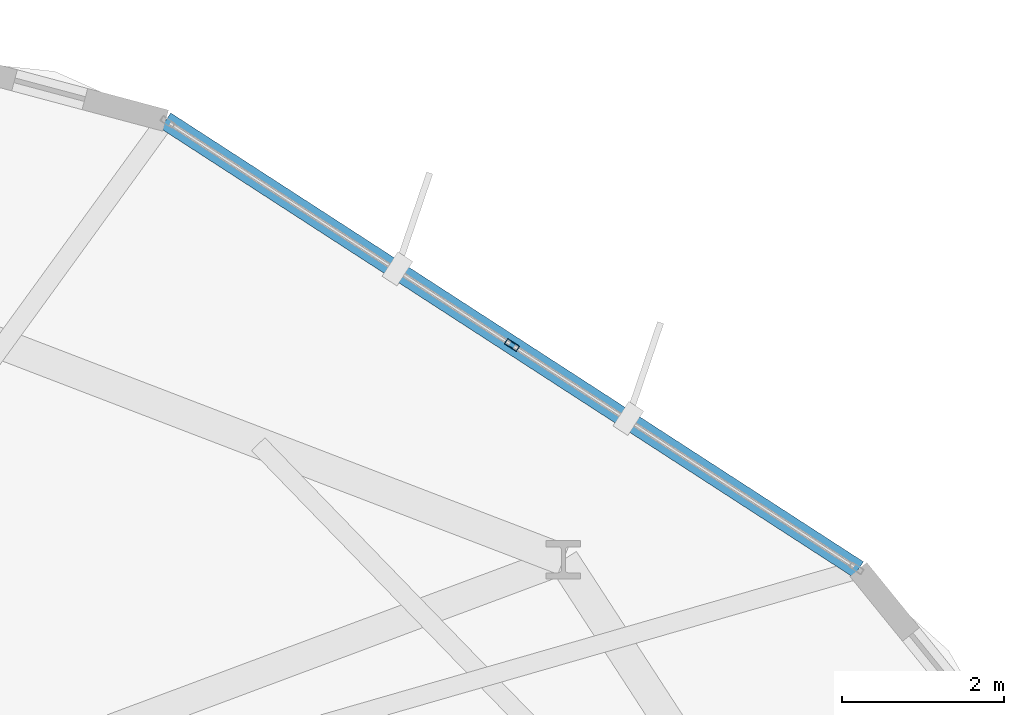
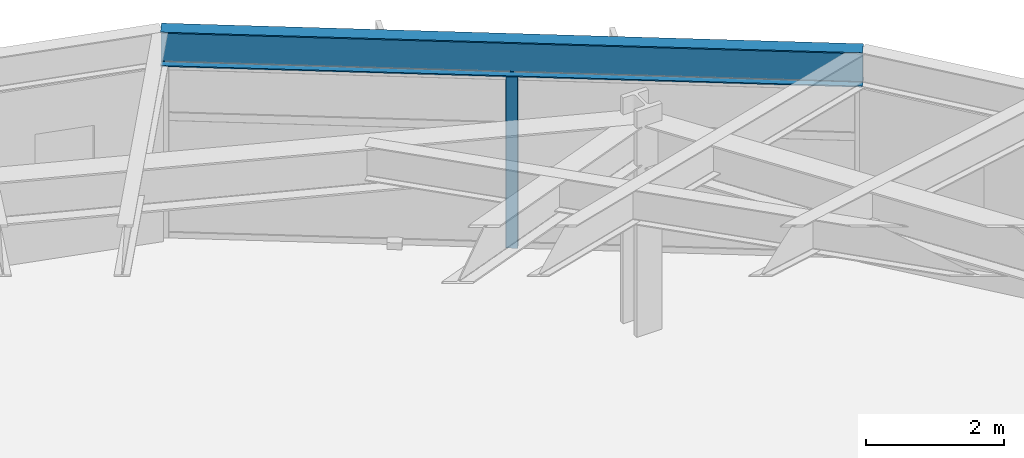
# One storey, part 16 of 23: 1 beam, 1 member, 1 element without a shape of its own.
"""IFC4 building model written with IfcOpenShell, lengths in metres."""

from ifc_helpers import new_model, si_unit, direction, frame, origin, origin_2d, place, context, subcontext, project, spatial, hollow_rectangle, i_section, extrude, material, layer, layer_set, material_profile, profile_set, type_object, element, aggregate, save


model = new_model("IFC4")

# Units and contexts
model_context = context("Model", 3, precision=1e-05, world=origin(), true_north=direction((0.0, 1.0)))
body_context = subcontext(model_context, "Body", "Model", "MODEL_VIEW")
ifc_project = project(units=[si_unit("LENGTHUNIT", "METRE"), si_unit("AREAUNIT", "SQUARE_METRE"), si_unit("VOLUMEUNIT", "CUBIC_METRE"), si_unit("PLANEANGLEUNIT", "RADIAN"), si_unit("MASSUNIT", "GRAM", prefix="KILO")], contexts=[model_context])

# Site, building, storey
site_placement = place(None, origin())
site = spatial("IfcSite", under=ifc_project, at=site_placement, CompositionType="ELEMENT")
building_placement = place(site_placement, origin())
building = spatial("IfcBuilding", under=site, at=building_placement, Name="Soratama Intermodal Tower", CompositionType="ELEMENT")
storey_placement = place(building_placement, frame((0.0, 0.0, 38.60009765625)))
storey = spatial("IfcBuildingStorey", under=building, at=storey_placement, Name="L08", CompositionType="ELEMENT", Elevation=38.60009765625)

# Beam
ifc_material_1 = material(Name="Structural steel ASTM A992 Grade 50", Category="steel")
ifc_material_profile_1 = material_profile(ifc_material_1, i_section(OverallWidth=0.22900390625, OverallDepth=0.612060546875, WebThickness=0.011962890625, FlangeThickness=0.01953125, FilletRadius=0.012939453125, at=origin_2d()), Name="W24X84")
ifc_profile_set_1 = profile_set([ifc_material_profile_1], Name="Structural steel ASTM A992 Grade 50")
beam_type = type_object("IfcBeamType", Name="BM-SPN-W24X84", PredefinedType="SPANDREL", material=ifc_profile_set_1)
beam_placement = place(storey_placement, frame((60.427001953125, 39.428955078125, 3.393798828125), z_axis=(-0.839257340197, 0.543734417639, 0.0), x_axis=(-0.543734417639, -0.839257340197, 0.0)))
element("IfcBeam", 1, at=beam_placement, inside=storey, type_object=beam_type, Name="BS-L08-F02", PredefinedType="SPANDREL", context=body_context, shape_type="SweptSolid", body=[
    extrude(i_section(OverallWidth=0.22900390625, OverallDepth=0.612060546875, WebThickness=0.011962890625, FlangeThickness=0.01953125, FilletRadius=0.012939453125, at=origin_2d()), origin(), (0.0, 0.0, 1.0), 10.201904296875),
])

# Curtain wall, member
ifc_material_2 = material(Name="Double-glazed aluminium curtain wall", Category="aluminium")
ifc_layer = layer(ifc_material_2, 0.159912109375)
ifc_layer_set = layer_set([ifc_layer], Name="Double-glazed aluminium curtain wall")
curtain_wall_type = type_object("IfcCurtainWallType", Name="CW-SYS-2", PredefinedType="NOTDEFINED", material=ifc_layer_set)
curtain_wall_placement = place(storey_placement, origin())
curtain_wall = element("IfcCurtainWall", 2, at=curtain_wall_placement, inside=storey, type_object=curtain_wall_type, Name="L08 Faceted Curtain Wall F02", PredefinedType="NOTDEFINED")
ifc_material_3 = material(Name="Anodised aluminium AA 6063-T6", Category="aluminium")
ifc_material_profile_2 = material_profile(ifc_material_3, hollow_rectangle(XDim=0.074951171875, YDim=0.179931640625, WallThickness=0.006103515625, InnerFilletRadius=0.006103515625, OuterFilletRadius=0.011962890625, at=origin_2d()), Name="CWM180X75X6")
ifc_profile_set_2 = profile_set([ifc_material_profile_2], Name="Anodised aluminium AA 6063-T6")
member_type = type_object("IfcMemberType", Name="MT-CWM-2", PredefinedType="MULLION", material=ifc_profile_set_2)
member_placement = place(storey_placement, frame((56.14599609375, 42.202880859375, 0.0), z_axis=(0.0, 0.0, 1.0), x_axis=(-0.543762502127, -0.839239144273, 0.0)))
member = element("IfcMember", 3, at=member_placement, type_object=member_type, Name="CW-2 mullion 2", PredefinedType="MULLION", context=body_context, shape_type="SweptSolid", body=[
    extrude(hollow_rectangle(XDim=0.074951171875, YDim=0.179931640625, WallThickness=0.006103515625, InnerFilletRadius=0.006103515625, OuterFilletRadius=0.011962890625, at=origin_2d()), origin(), (0.0, 0.0, 1.0), 3.078857421875),
])
aggregate(curtain_wall, [member])

save(model, "model.ifc")
